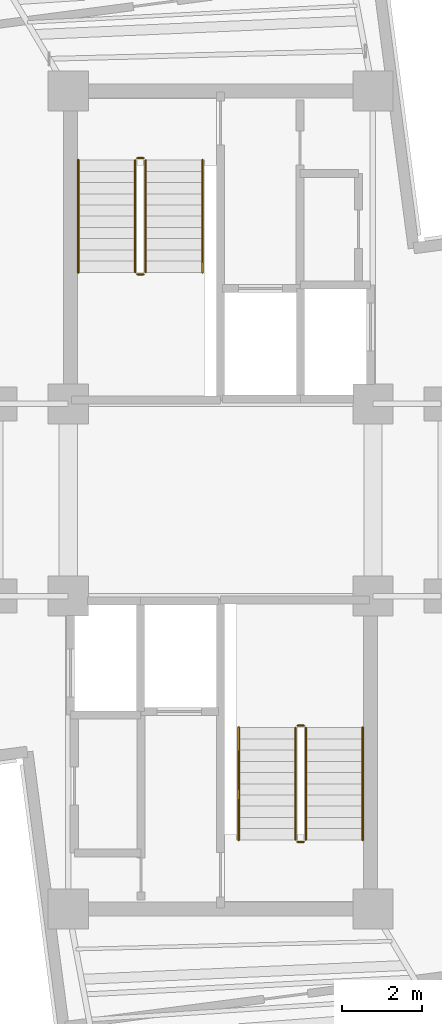
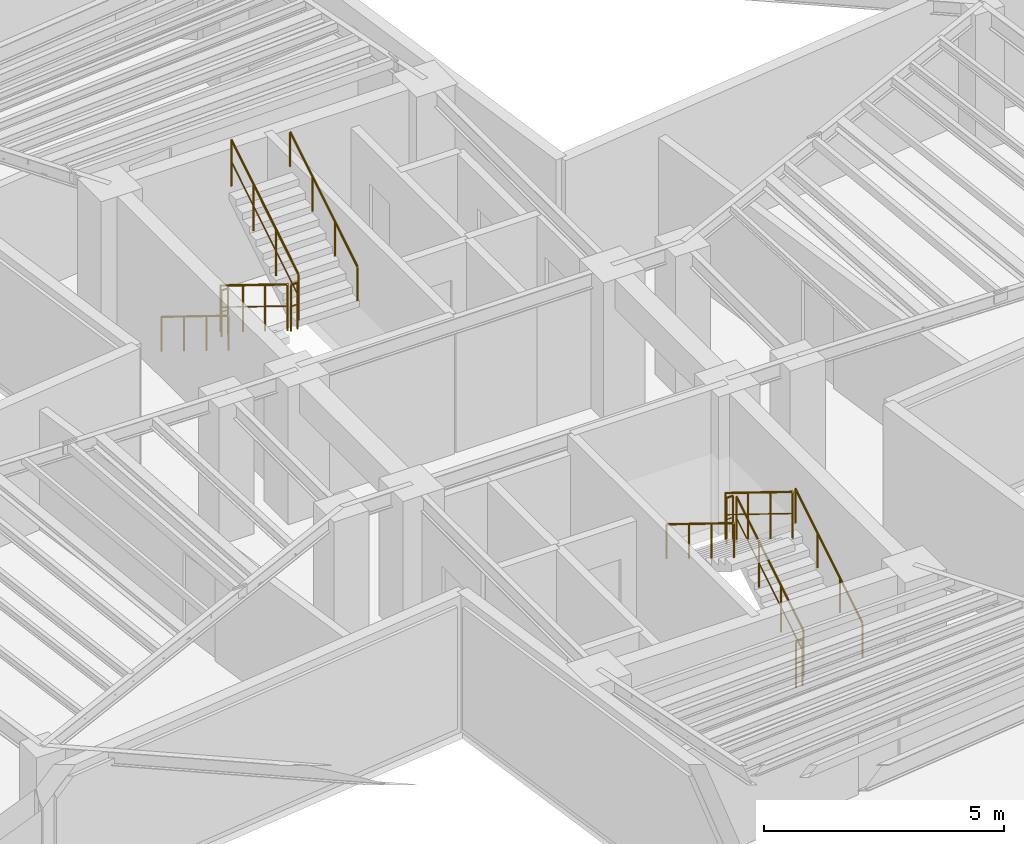
# One storey, part 6 of 6: 12 railings.
"""IFC4 building model written with IfcOpenShell, lengths in metres."""

from ifc_helpers import new_model, si_unit, direction, frame, origin, origin_2d, place, context, subcontext, project, spatial, circle, extrude, material, type_object, element, save


model = new_model("IFC4")

# Units and contexts
model_context = context("Model", 3, precision=1e-05, world=origin(), true_north=direction((0.0, 1.0)))
body_context = subcontext(model_context, "Body", "Model", "MODEL_VIEW")
ifc_project = project(units=[si_unit("LENGTHUNIT", "METRE"), si_unit("AREAUNIT", "SQUARE_METRE"), si_unit("VOLUMEUNIT", "CUBIC_METRE"), si_unit("PLANEANGLEUNIT", "RADIAN"), si_unit("MASSUNIT", "GRAM", prefix="KILO")], contexts=[model_context])

# Site, building, storey
site_placement = place(None, origin())
site = spatial("IfcSite", under=ifc_project, at=site_placement, CompositionType="ELEMENT")
building_placement = place(site_placement, origin())
building = spatial("IfcBuilding", under=site, at=building_placement, Name="Sahyath Konkavel Grand Hotel", CompositionType="ELEMENT")
storey_placement = place(building_placement, frame((0.0, 0.0, 288.89990234375)))
storey = spatial("IfcBuildingStorey", under=building, at=storey_placement, Name="L80", CompositionType="ELEMENT", Elevation=288.89990234375)

# Railings
ifc_material_1 = material(Name="Steel E350", Category="steel")
railing_type_1 = type_object("IfcRailingType", Name="RLG-STAIR-GRD", PredefinedType="GUARDRAIL", material=ifc_material_1)
railing_1_placement = place(storey_placement, frame((-2.1298828125, 8.47998046875, 0.1728515625)))
element("IfcRailing", 1, at=railing_1_placement, inside=storey, type_object=railing_type_1, Name="L80 ST-1 stair guard 1", PredefinedType="GUARDRAIL", context=body_context, shape_type="SweptSolid", body=[
    extrude(circle(Radius=0.02392578125, at=origin_2d()), frame((0.0, -0.001708984375, 1.177001953125), z_axis=(0.0, -0.851089632645, 0.525020415988), x_axis=(1.0, 0.0, 0.0)), (0.0, 0.0, 1.0), 3.285888671875),
    extrude(circle(Radius=0.01416015625, at=origin_2d()), frame((0.0, -0.001708984375, 0.625), z_axis=(0.0, -0.851089632645, 0.525020415988), x_axis=(1.0, 0.0, 0.0)), (0.0, 0.0, 1.0), 3.285888671875),
    extrude(circle(Radius=0.02099609375, at=origin_2d()), origin(), (0.0, 0.0, 1.0), 1.15185546875),
    extrude(circle(Radius=0.02099609375, at=origin_2d()), frame((0.0, -0.933349609375, 0.57568359375)), (0.0, 0.0, 1.0), 1.15185546875),
    extrude(circle(Radius=0.02099609375, at=origin_2d()), frame((0.0, -1.86669921875, 1.151611328125)), (0.0, 0.0, 1.0), 1.15185546875),
    extrude(circle(Radius=0.02099609375, at=origin_2d()), frame((0.0, -2.800048828125, 1.727294921875)), (0.0, 0.0, 1.0), 1.15185546875),
])
railing_2_placement = place(storey_placement, frame((-2.080078125, 5.6298828125, 1.900146484375)))
element("IfcRailing", 2, at=railing_2_placement, inside=storey, type_object=railing_type_1, Name="L80 ST-1 stair guard 2", PredefinedType="GUARDRAIL", context=body_context, shape_type="SweptSolid", body=[
    extrude(circle(Radius=0.02392578125, at=origin_2d()), frame((0.001953125, 0.0, 1.17578125), z_axis=(1.0, 0.0, 0.0), x_axis=(0.0, 1.0, 0.0)), (0.0, 0.0, 1.0), 0.15625),
    extrude(circle(Radius=0.01416015625, at=origin_2d()), frame((0.001953125, 0.0, 0.6240234375), z_axis=(1.0, 0.0, 0.0), x_axis=(0.0, 1.0, 0.0)), (0.0, 0.0, 1.0), 0.15625),
    extrude(circle(Radius=0.02099609375, at=origin_2d()), origin(), (0.0, 0.0, 1.0), 1.15185546875),
    extrude(circle(Radius=0.02099609375, at=origin_2d()), frame((0.16015625, 0.0, 0.0)), (0.0, 0.0, 1.0), 1.15185546875),
])
railing_3_placement = place(storey_placement, frame((-1.8701171875, 5.679931640625, 2.07275390625)))
element("IfcRailing", 3, at=railing_3_placement, inside=storey, type_object=railing_type_1, Name="L80 ST-1 stair guard 3", PredefinedType="GUARDRAIL", context=body_context, shape_type="SweptSolid", body=[
    extrude(circle(Radius=0.02392578125, at=origin_2d()), frame((0.0, 0.001708984375, 1.177001953125), z_axis=(0.0, 0.851089632645, 0.525020415988), x_axis=(-1.0, 0.0, 0.0)), (0.0, 0.0, 1.0), 3.285888671875),
    extrude(circle(Radius=0.01416015625, at=origin_2d()), frame((0.0, 0.001708984375, 0.625), z_axis=(0.0, 0.851089632645, 0.525020415988), x_axis=(-1.0, 0.0, 0.0)), (0.0, 0.0, 1.0), 3.285888671875),
    extrude(circle(Radius=0.02099609375, at=origin_2d()), origin(), (0.0, 0.0, 1.0), 1.15185546875),
    extrude(circle(Radius=0.02099609375, at=origin_2d()), frame((0.0, 0.933349609375, 0.57568359375)), (0.0, 0.0, 1.0), 1.15185546875),
    extrude(circle(Radius=0.02099609375, at=origin_2d()), frame((0.0, 1.86669921875, 1.151611328125)), (0.0, 0.0, 1.0), 1.15185546875),
    extrude(circle(Radius=0.02099609375, at=origin_2d()), frame((0.0, 2.800048828125, 1.727294921875)), (0.0, 0.0, 1.0), 1.15185546875),
])
railing_4_placement = place(storey_placement, frame((-2.080078125, 8.530029296875, 0.0)))
element("IfcRailing", 4, at=railing_4_placement, inside=storey, type_object=railing_type_1, Name="L80 ST-1 stair guard 4", PredefinedType="GUARDRAIL", context=body_context, shape_type="SweptSolid", body=[
    extrude(circle(Radius=0.02392578125, at=origin_2d()), frame((0.001953125, 0.0, 1.17578125), z_axis=(1.0, 0.0, 0.0), x_axis=(0.0, 1.0, 0.0)), (0.0, 0.0, 1.0), 0.15625),
    extrude(circle(Radius=0.01416015625, at=origin_2d()), frame((0.001953125, 0.0, 0.6240234375), z_axis=(1.0, 0.0, 0.0), x_axis=(0.0, 1.0, 0.0)), (0.0, 0.0, 1.0), 0.15625),
    extrude(circle(Radius=0.02099609375, at=origin_2d()), origin(), (0.0, 0.0, 1.0), 1.15185546875),
    extrude(circle(Radius=0.02099609375, at=origin_2d()), frame((0.16015625, 0.0, 0.0)), (0.0, 0.0, 1.0), 1.15185546875),
])
railing_5_placement = place(storey_placement, frame((2.1298828125, -8.47998046875, 0.1728515625)))
element("IfcRailing", 5, at=railing_5_placement, inside=storey, type_object=railing_type_1, Name="L80 ST-2 stair guard 1", PredefinedType="GUARDRAIL", context=body_context, shape_type="SweptSolid", body=[
    extrude(circle(Radius=0.02392578125, at=origin_2d()), frame((0.0, 0.001708984375, 1.177001953125), z_axis=(0.0, 0.851089632645, 0.525020415988), x_axis=(-1.0, 0.0, 0.0)), (0.0, 0.0, 1.0), 3.285888671875),
    extrude(circle(Radius=0.01416015625, at=origin_2d()), frame((0.0, 0.001708984375, 0.625), z_axis=(0.0, 0.851089632645, 0.525020415988), x_axis=(-1.0, 0.0, 0.0)), (0.0, 0.0, 1.0), 3.285888671875),
    extrude(circle(Radius=0.02099609375, at=origin_2d()), origin(), (0.0, 0.0, 1.0), 1.15185546875),
    extrude(circle(Radius=0.02099609375, at=origin_2d()), frame((0.0, 0.933349609375, 0.57568359375)), (0.0, 0.0, 1.0), 1.15185546875),
    extrude(circle(Radius=0.02099609375, at=origin_2d()), frame((0.0, 1.86669921875, 1.151611328125)), (0.0, 0.0, 1.0), 1.15185546875),
    extrude(circle(Radius=0.02099609375, at=origin_2d()), frame((0.0, 2.800048828125, 1.727294921875)), (0.0, 0.0, 1.0), 1.15185546875),
])
railing_6_placement = place(storey_placement, frame((2.080078125, -5.6298828125, 1.900146484375)))
element("IfcRailing", 6, at=railing_6_placement, inside=storey, type_object=railing_type_1, Name="L80 ST-2 stair guard 2", PredefinedType="GUARDRAIL", context=body_context, shape_type="SweptSolid", body=[
    extrude(circle(Radius=0.02392578125, at=origin_2d()), frame((-0.001953125, 0.0, 1.17578125), z_axis=(-1.0, 0.0, 0.0), x_axis=(0.0, -1.0, 0.0)), (0.0, 0.0, 1.0), 0.15625),
    extrude(circle(Radius=0.01416015625, at=origin_2d()), frame((-0.001953125, 0.0, 0.6240234375), z_axis=(-1.0, 0.0, 0.0), x_axis=(0.0, -1.0, 0.0)), (0.0, 0.0, 1.0), 0.15625),
    extrude(circle(Radius=0.02099609375, at=origin_2d()), origin(), (0.0, 0.0, 1.0), 1.15185546875),
    extrude(circle(Radius=0.02099609375, at=origin_2d()), frame((-0.16015625, 0.0, 0.0)), (0.0, 0.0, 1.0), 1.15185546875),
])
railing_7_placement = place(storey_placement, frame((1.8701171875, -5.679931640625, 2.07275390625)))
element("IfcRailing", 7, at=railing_7_placement, inside=storey, type_object=railing_type_1, Name="L80 ST-2 stair guard 3", PredefinedType="GUARDRAIL", context=body_context, shape_type="SweptSolid", body=[
    extrude(circle(Radius=0.02392578125, at=origin_2d()), frame((0.0, -0.001708984375, 1.177001953125), z_axis=(0.0, -0.851089632645, 0.525020415988), x_axis=(1.0, 0.0, 0.0)), (0.0, 0.0, 1.0), 3.285888671875),
    extrude(circle(Radius=0.01416015625, at=origin_2d()), frame((0.0, -0.001708984375, 0.625), z_axis=(0.0, -0.851089632645, 0.525020415988), x_axis=(1.0, 0.0, 0.0)), (0.0, 0.0, 1.0), 3.285888671875),
    extrude(circle(Radius=0.02099609375, at=origin_2d()), origin(), (0.0, 0.0, 1.0), 1.15185546875),
    extrude(circle(Radius=0.02099609375, at=origin_2d()), frame((0.0, -0.933349609375, 0.57568359375)), (0.0, 0.0, 1.0), 1.15185546875),
    extrude(circle(Radius=0.02099609375, at=origin_2d()), frame((0.0, -1.86669921875, 1.151611328125)), (0.0, 0.0, 1.0), 1.15185546875),
    extrude(circle(Radius=0.02099609375, at=origin_2d()), frame((0.0, -2.800048828125, 1.727294921875)), (0.0, 0.0, 1.0), 1.15185546875),
])
railing_8_placement = place(storey_placement, frame((2.080078125, -8.530029296875, 0.0)))
element("IfcRailing", 8, at=railing_8_placement, inside=storey, type_object=railing_type_1, Name="L80 ST-2 stair guard 4", PredefinedType="GUARDRAIL", context=body_context, shape_type="SweptSolid", body=[
    extrude(circle(Radius=0.02392578125, at=origin_2d()), frame((-0.001953125, 0.0, 1.17578125), z_axis=(-1.0, 0.0, 0.0), x_axis=(0.0, -1.0, 0.0)), (0.0, 0.0, 1.0), 0.15625),
    extrude(circle(Radius=0.01416015625, at=origin_2d()), frame((-0.001953125, 0.0, 0.6240234375), z_axis=(-1.0, 0.0, 0.0), x_axis=(0.0, -1.0, 0.0)), (0.0, 0.0, 1.0), 0.15625),
    extrude(circle(Radius=0.02099609375, at=origin_2d()), origin(), (0.0, 0.0, 1.0), 1.15185546875),
    extrude(circle(Radius=0.02099609375, at=origin_2d()), frame((-0.16015625, 0.0, 0.0)), (0.0, 0.0, 1.0), 1.15185546875),
])
ifc_material_2 = material(Name="Anodised Bronze Aluminium", Category="aluminium")
railing_type_2 = type_object("IfcRailingType", Name="RLG-STAIR-HND", PredefinedType="HANDRAIL", material=ifc_material_2)
railing_9_placement = place(storey_placement, frame((-3.550048828125, 8.47998046875, 0.1728515625)))
element("IfcRailing", 9, at=railing_9_placement, inside=storey, type_object=railing_type_2, Name="L80 ST-1 stair handrail 1", PredefinedType="HANDRAIL", context=body_context, shape_type="SweptSolid", body=[
    extrude(circle(Radius=0.02392578125, at=origin_2d()), frame((0.0, -0.001708984375, 0.876953125), z_axis=(0.0, -0.851089632645, 0.525020415988), x_axis=(1.0, 0.0, 0.0)), (0.0, 0.0, 1.0), 3.285888671875),
    extrude(circle(Radius=0.02099609375, at=origin_2d()), origin(), (0.0, 0.0, 1.0), 0.851806640625),
    extrude(circle(Radius=0.02099609375, at=origin_2d()), frame((0.0, -0.933349609375, 0.57568359375)), (0.0, 0.0, 1.0), 0.851806640625),
    extrude(circle(Radius=0.02099609375, at=origin_2d()), frame((0.0, -1.86669921875, 1.151611328125)), (0.0, 0.0, 1.0), 0.851806640625),
    extrude(circle(Radius=0.02099609375, at=origin_2d()), frame((0.0, -2.800048828125, 1.727294921875)), (0.0, 0.0, 1.0), 0.851806640625),
])
for number, where, name in (
    (10, (-0.449951171875, 5.679931640625, 2.07275390625), "L80 ST-1 stair handrail 2"),
    (11, (3.550048828125, -8.47998046875, 0.1728515625), "L80 ST-2 stair handrail 1"),
):
    element("IfcRailing", number, at=place(storey_placement, frame(where)), inside=storey, type_object=railing_type_2, Name=name, PredefinedType="HANDRAIL", context=body_context, shape_type="SweptSolid", body=[
        extrude(circle(Radius=0.02392578125, at=origin_2d()), frame((0.0, 0.001708984375, 0.876953125), z_axis=(0.0, 0.851089632645, 0.525020415988), x_axis=(-1.0, 0.0, 0.0)), (0.0, 0.0, 1.0), 3.285888671875),
        extrude(circle(Radius=0.02099609375, at=origin_2d()), origin(), (0.0, 0.0, 1.0), 0.851806640625),
        extrude(circle(Radius=0.02099609375, at=origin_2d()), frame((0.0, 0.933349609375, 0.57568359375)), (0.0, 0.0, 1.0), 0.851806640625),
        extrude(circle(Radius=0.02099609375, at=origin_2d()), frame((0.0, 1.86669921875, 1.151611328125)), (0.0, 0.0, 1.0), 0.851806640625),
        extrude(circle(Radius=0.02099609375, at=origin_2d()), frame((0.0, 2.800048828125, 1.727294921875)), (0.0, 0.0, 1.0), 0.851806640625),
    ])
railing_10_placement = place(storey_placement, frame((0.449951171875, -5.679931640625, 2.07275390625)))
element("IfcRailing", 12, at=railing_10_placement, inside=storey, type_object=railing_type_2, Name="L80 ST-2 stair handrail 2", PredefinedType="HANDRAIL", context=body_context, shape_type="SweptSolid", body=[
    extrude(circle(Radius=0.02392578125, at=origin_2d()), frame((0.0, -0.001708984375, 0.876953125), z_axis=(0.0, -0.851089632645, 0.525020415988), x_axis=(1.0, 0.0, 0.0)), (0.0, 0.0, 1.0), 3.285888671875),
    extrude(circle(Radius=0.02099609375, at=origin_2d()), origin(), (0.0, 0.0, 1.0), 0.851806640625),
    extrude(circle(Radius=0.02099609375, at=origin_2d()), frame((0.0, -0.933349609375, 0.57568359375)), (0.0, 0.0, 1.0), 0.851806640625),
    extrude(circle(Radius=0.02099609375, at=origin_2d()), frame((0.0, -1.86669921875, 1.151611328125)), (0.0, 0.0, 1.0), 0.851806640625),
    extrude(circle(Radius=0.02099609375, at=origin_2d()), frame((0.0, -2.800048828125, 1.727294921875)), (0.0, 0.0, 1.0), 0.851806640625),
])

save(model, "model.ifc")
